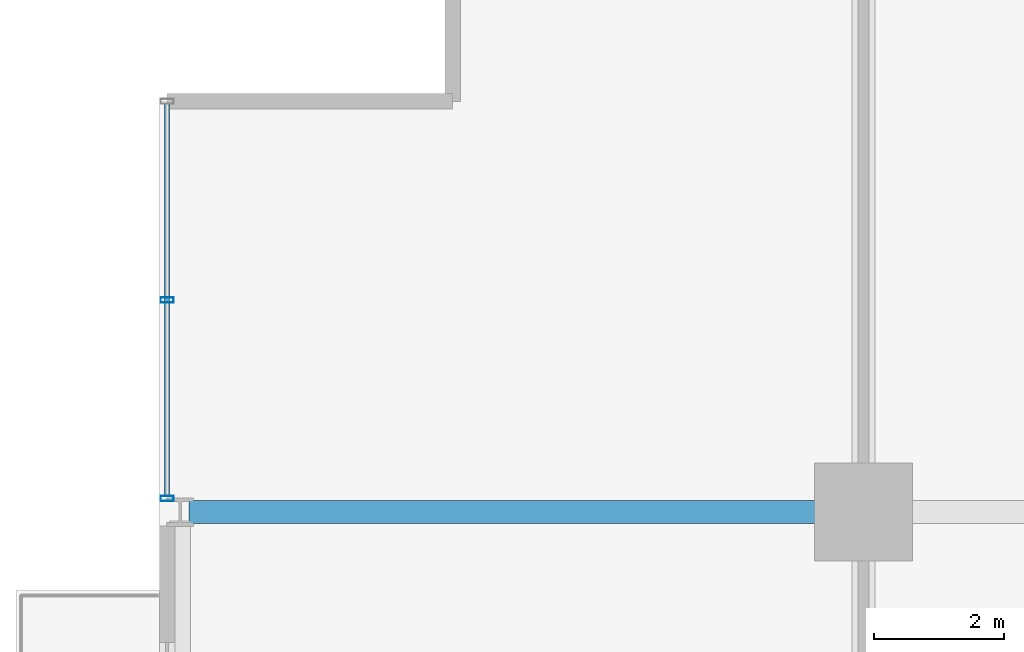
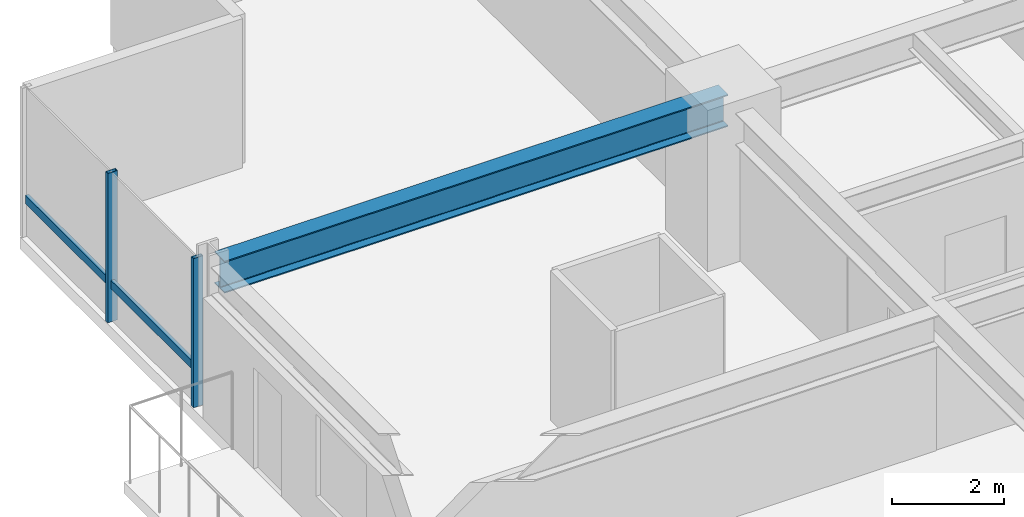
# One storey, part 18 of 34: 3 members, 1 beam, 1 element without a shape of its own.
"""IFC4 building model written with IfcOpenShell, lengths in metres."""

from ifc_helpers import new_model, si_unit, direction, frame, origin, origin_2d, place, context, subcontext, project, spatial, hollow_rectangle, i_section, extrude, material, layer, layer_set, material_profile, profile_set, type_object, element, aggregate, save


model = new_model("IFC4")

# Units and contexts
model_context = context("Model", 3, precision=1e-05, world=origin(), true_north=direction((0.0, 1.0)))
body_context = subcontext(model_context, "Body", "Model", "MODEL_VIEW")
ifc_project = project(units=[si_unit("LENGTHUNIT", "METRE"), si_unit("AREAUNIT", "SQUARE_METRE"), si_unit("VOLUMEUNIT", "CUBIC_METRE"), si_unit("PLANEANGLEUNIT", "RADIAN"), si_unit("MASSUNIT", "GRAM", prefix="KILO")], contexts=[model_context])

# Site, building, storey
site_placement = place(None, origin())
site = spatial("IfcSite", under=ifc_project, at=site_placement, CompositionType="ELEMENT")
building_placement = place(site_placement, origin())
building = spatial("IfcBuilding", under=site, at=building_placement, Name="Drelvath Grand Hotel", CompositionType="ELEMENT")
storey_placement = place(building_placement, frame((0.0, 0.0, 126.800048828125)))
storey = spatial("IfcBuildingStorey", under=building, at=storey_placement, Name="L32", CompositionType="ELEMENT", Elevation=126.800048828125)

# Curtain wall, members
ifc_material_1 = material(Name="Champagne Bronze Anodised Aluminium Frame", Category="aluminium")
ifc_layer = layer(ifc_material_1, 0.199951171875)
ifc_layer_set = layer_set([ifc_layer], Name="Champagne Bronze Anodised Aluminium Frame")
curtain_wall_type = type_object("IfcCurtainWallType", Name="Stick Curtain Wall CW-03 Champagne Bronze Mid-Rise", PredefinedType="NOTDEFINED", material=ifc_layer_set)
curtain_wall_placement = place(storey_placement, origin())
curtain_wall = element("IfcCurtainWall", 1, at=curtain_wall_placement, inside=storey, type_object=curtain_wall_type, Name="L32 CW-03 Curtain Wall CW03-L32-WN3", PredefinedType="NOTDEFINED")
ifc_material_profile_1 = material_profile(ifc_material_1, hollow_rectangle(XDim=0.074951171875, YDim=0.179931640625, WallThickness=0.0048828125, at=origin_2d()), Name="HSS180X75X5")
ifc_profile_set_1 = profile_set([ifc_material_profile_1], Name="Champagne Bronze Anodised Aluminium Frame")
member_type_1 = type_object("IfcMemberType", Name="Curtain Wall Horizontal Transom CW-03 HSS180X75X5", PredefinedType="USERDEFINED", material=ifc_profile_set_1)
member_1_placement = place(storey_placement, frame((-26.8798828125, 43.449462890625, 0.81005859375), z_axis=(0.0, 1.0, 0.0), x_axis=(-1.0, 0.0, 0.0)))
member_1 = element("IfcMember", 2, at=member_1_placement, type_object=member_type_1, Name="CW03-L32-WN3 Sill Transom", ObjectType="TRANSOM", PredefinedType="USERDEFINED", context=body_context, shape_type="SweptSolid", body=[
    extrude(hollow_rectangle(XDim=0.074951171875, YDim=0.179931640625, WallThickness=0.0048828125, at=origin_2d()), origin(), (0.0, 0.0, 1.0), 6.010498046875),
])
ifc_material_profile_2 = material_profile(ifc_material_1, hollow_rectangle(XDim=0.080078125, YDim=0.199951171875, WallThickness=0.0048828125, at=origin_2d()), Name="HSS200X80X5")
ifc_profile_set_2 = profile_set([ifc_material_profile_2], Name="Champagne Bronze Anodised Aluminium Frame")
member_type_2 = type_object("IfcMemberType", Name="Curtain Wall Vertical Mullion CW-03 HSS200X80X5", PredefinedType="MULLION", material=ifc_profile_set_2)
member_2_placement = place(storey_placement, frame((-26.8798828125, 43.409423828125, 0.0), z_axis=(0.0, 0.0, 1.0), x_axis=(0.0, 1.0, 0.0)))
member_2 = element("IfcMember", 3, at=member_2_placement, type_object=member_type_2, Name="CW03-L32-WN3 Mullion 1", PredefinedType="MULLION", context=body_context, shape_type="SweptSolid", body=[
    extrude(hollow_rectangle(XDim=0.080078125, YDim=0.199951171875, WallThickness=0.0048828125, at=origin_2d()), origin(), (0.0, 0.0, 1.0), 3.239990234375),
])
member_3_placement = place(storey_placement, frame((-26.8798828125, 46.45458984375, 0.0), z_axis=(0.0, 0.0, 1.0), x_axis=(0.0, 1.0, 0.0)))
member_3 = element("IfcMember", 4, at=member_3_placement, type_object=member_type_2, Name="CW03-L32-WN3 Mullion 2", PredefinedType="MULLION", context=body_context, shape_type="SweptSolid", body=[
    extrude(hollow_rectangle(XDim=0.080078125, YDim=0.199951171875, WallThickness=0.0048828125, at=origin_2d()), origin(), (0.0, 0.0, 1.0), 3.239990234375),
])
aggregate(curtain_wall, [member_2, member_3, member_1])

# Beam
ifc_material_2 = material(Name="Steel ASTM A992 Gr 50", Category="steel")
ifc_material_profile_3 = material_profile(ifc_material_2, i_section(OverallWidth=0.354736328125, OverallDepth=0.695556640625, WebThickness=0.015380859375, FlangeThickness=0.025146484375, FilletRadius=0.02392578125, at=origin_2d()), Name="W27X146")
ifc_profile_set_3 = profile_set([ifc_material_profile_3], Name="Steel ASTM A992 Gr 50")
beam_type = type_object("IfcBeamType", Name="Primary Floor Girder W27X146", PredefinedType="BEAM", material=ifc_profile_set_3)
beam_placement = place(storey_placement, frame((-26.5400390625, 43.199951171875, 2.892333984375), z_axis=(1.0, 0.0, 0.0), x_axis=(0.0, 1.0, 0.0)))
element("IfcBeam", 5, at=beam_placement, inside=storey, type_object=beam_type, Name="L32 West Grid Girder G", PredefinedType="BEAM", context=body_context, shape_type="SweptSolid", body=[
    extrude(i_section(OverallWidth=0.354736328125, OverallDepth=0.695556640625, WebThickness=0.015380859375, FlangeThickness=0.025146484375, FilletRadius=0.02392578125, at=origin_2d()), origin(), (0.0, 0.0, 1.0), 10.340087890625),
])

save(model, "model.ifc")
